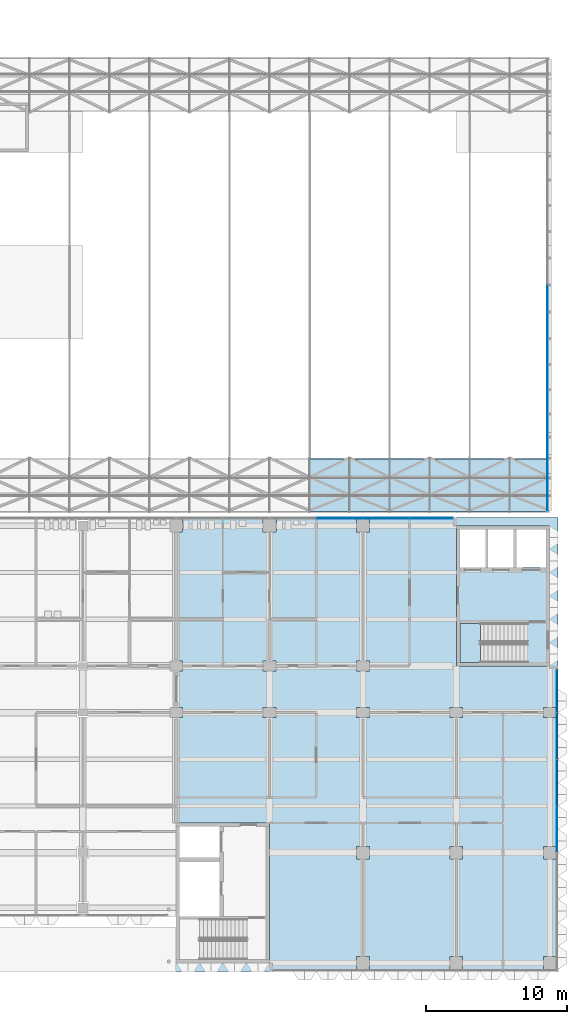
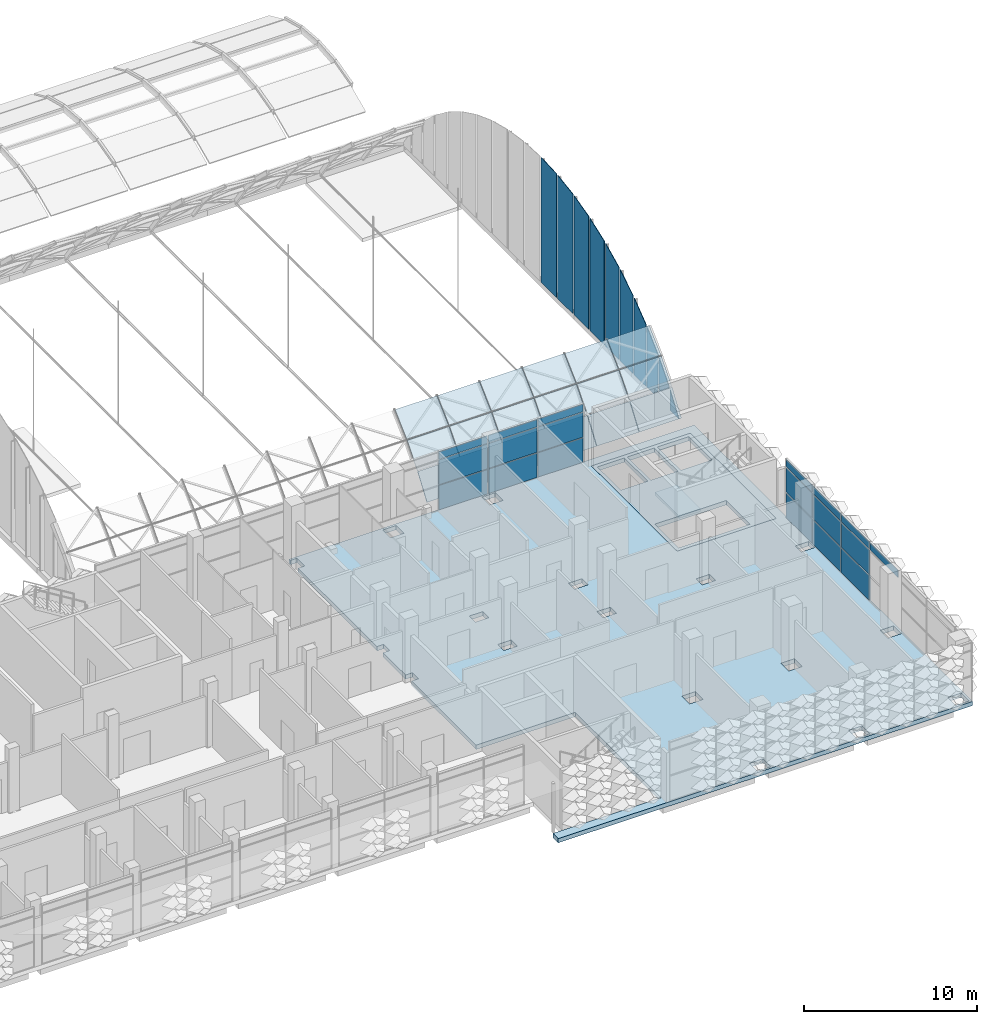
# One storey, part 45 of 109: 47 plates, 3 slabs, 3 elements without a shape of their own.
"""IFC4 building model written with IfcOpenShell, lengths in metres."""

from ifc_helpers import new_model, si_unit, direction, frame, origin, origin_2d, place, context, subcontext, project, spatial, polyline, rectangle, outline, extrude, material, layer, layer_set, type_object, element, aggregate, save


model = new_model("IFC4")

# Units and contexts
model_context = context("Model", 3, precision=1e-05, world=origin(), true_north=direction((0.0, 1.0)))
body_context = subcontext(model_context, "Body", "Model", "MODEL_VIEW")
ifc_project = project(units=[si_unit("LENGTHUNIT", "METRE"), si_unit("AREAUNIT", "SQUARE_METRE"), si_unit("VOLUMEUNIT", "CUBIC_METRE"), si_unit("PLANEANGLEUNIT", "RADIAN"), si_unit("MASSUNIT", "GRAM", prefix="KILO")], contexts=[model_context])

# Site, building, storey
site_placement = place(None, origin())
site = spatial("IfcSite", under=ifc_project, at=site_placement, CompositionType="ELEMENT")
building_placement = place(site_placement, origin())
building = spatial("IfcBuilding", under=site, at=building_placement, Name="Lantern Court Research Institute", CompositionType="ELEMENT")
storey_placement = place(building_placement, frame((0.0, 0.0, 14.39990234375)))
storey = spatial("IfcBuildingStorey", under=building, at=storey_placement, Name="L03", CompositionType="ELEMENT", Elevation=14.39990234375)

# Plates
ifc_material_1 = material(Name="Laminated low-emissivity glass", Category="glass")
ifc_layer_1 = layer(ifc_material_1, 0.035888671875)
ifc_layer_set_1 = layer_set([ifc_layer_1], Name="Laminated low-emissivity glass")
plate_type_1 = type_object("IfcPlateType", Name="Gable glazing panel 36", PredefinedType="SHEET", material=ifc_layer_set_1)
plate_1_placement = place(storey_placement, frame((79.056884765625, 24.169921875, 0.400146484375), z_axis=(0.0, 0.0, 1.0), x_axis=(0.0, 1.0, 0.0)))
element("IfcPlate", 1, at=plate_1_placement, inside=storey, type_object=plate_type_1, Name="Gable glazing panel", PredefinedType="SHEET", context=body_context, shape_type="SweptSolid", body=[
    extrude(outline(polyline([(0.0, 0.0), (1.016357421875, 0.0), (1.016357421875, 1.4697265625), (0.0, 0.0283203125), (0.0, 0.0)])), frame((0.0, 0.01806640625, 0.0), z_axis=(0.0, -1.0, 0.0), x_axis=(1.0, 0.0, 0.0)), (0.0, 0.0, 1.0), 0.035888671875),
])
plate_2_placement = place(storey_placement, frame((79.056884765625, 25.306396484375, 0.400146484375), z_axis=(0.0, 0.0, 1.0), x_axis=(0.0, 1.0, 0.0)))
element("IfcPlate", 2, at=plate_2_placement, inside=storey, type_object=plate_type_1, Name="Gable glazing panel", PredefinedType="SHEET", context=body_context, shape_type="SweptSolid", body=[
    extrude(outline(polyline([(0.0, 0.0), (1.126953125, 0.0), (1.126953125, 2.92236328125), (0.0, 1.623779296875), (0.0, 0.0)])), frame((0.0, 0.01806640625, 0.0), z_axis=(0.0, -1.0, 0.0), x_axis=(1.0, 0.0, 0.0)), (0.0, 0.0, 1.0), 0.035888671875),
])
plate_3_placement = place(storey_placement, frame((79.056884765625, 26.55322265625, 0.400146484375), z_axis=(0.0, 0.0, 1.0), x_axis=(0.0, 1.0, 0.0)))
element("IfcPlate", 3, at=plate_3_placement, inside=storey, type_object=plate_type_1, Name="Gable glazing panel", PredefinedType="SHEET", context=body_context, shape_type="SweptSolid", body=[
    extrude(outline(polyline([(0.0, 0.0), (1.265380859375, 0.0), (1.26513671875, 4.239013671875), (0.0, 3.0478515625), (0.0, 0.0)])), frame((0.0, 0.01806640625, 0.0), z_axis=(0.0, -1.0, 0.0), x_axis=(1.0, 0.0, 0.0)), (0.0, 0.0, 1.0), 0.035888671875),
])
plate_4_placement = place(storey_placement, frame((79.056884765625, 27.9384765625, 0.400146484375), z_axis=(0.0, 0.0, 1.0), x_axis=(0.0, 1.0, 0.0)))
element("IfcPlate", 4, at=plate_4_placement, inside=storey, type_object=plate_type_1, Name="Gable glazing panel", PredefinedType="SHEET", context=body_context, shape_type="SweptSolid", body=[
    extrude(outline(polyline([(0.0, 0.0), (1.38916015625, 0.0), (1.38916015625, 5.40771484375), (0.0, 4.341552734375), (0.0, 0.0)])), frame((0.0, 0.01806640625, 0.0), z_axis=(0.0, -1.0, 0.0), x_axis=(1.0, 0.0, 0.0)), (0.0, 0.0, 1.0), 0.035888671875),
])
plate_5_placement = place(storey_placement, frame((79.056884765625, 29.44775390625, 0.400146484375), z_axis=(0.0, 0.0, 1.0), x_axis=(0.0, 1.0, 0.0)))
element("IfcPlate", 5, at=plate_5_placement, inside=storey, type_object=plate_type_1, Name="Gable glazing panel", PredefinedType="SHEET", context=body_context, shape_type="SweptSolid", body=[
    extrude(outline(polyline([(0.0, 0.0), (1.498046875, 0.0), (1.498046875, 6.417236328125), (0.0, 5.490966796875), (0.0, 0.0)])), frame((0.0, 0.01806640625, 0.0), z_axis=(0.0, -1.0, 0.0), x_axis=(1.0, 0.0, 0.0)), (0.0, 0.0, 1.0), 0.035888671875),
])
plate_6_placement = place(storey_placement, frame((79.056884765625, 31.065673828125, 0.400146484375), z_axis=(0.0, 0.0, 1.0), x_axis=(0.0, 1.0, 0.0)))
element("IfcPlate", 6, at=plate_6_placement, inside=storey, type_object=plate_type_1, Name="Gable glazing panel", PredefinedType="SHEET", context=body_context, shape_type="SweptSolid", body=[
    extrude(outline(polyline([(0.0, 0.0), (1.590576171875, 0.0), (1.59033203125, 7.258056640625), (0.0, 6.483642578125), (0.0, 0.0)])), frame((0.0, 0.01806640625, 0.0), z_axis=(0.0, -1.0, 0.0), x_axis=(1.0, 0.0, 0.0)), (0.0, 0.0, 1.0), 0.035888671875),
])
plate_7_placement = place(storey_placement, frame((79.056884765625, 32.776123046875, 0.400146484375), z_axis=(0.0, 0.0, 1.0), x_axis=(0.0, 1.0, 0.0)))
element("IfcPlate", 7, at=plate_7_placement, inside=storey, type_object=plate_type_1, Name="Gable glazing panel", PredefinedType="SHEET", context=body_context, shape_type="SweptSolid", body=[
    extrude(outline(polyline([(0.0, 0.0), (1.66552734375, 0.0), (1.66552734375, 7.921875), (0.0, 7.309326171875), (0.0, 0.0)])), frame((0.0, 0.01806640625, 0.0), z_axis=(0.0, -1.0, 0.0), x_axis=(1.0, 0.0, 0.0)), (0.0, 0.0, 1.0), 0.035888671875),
])
plate_8_placement = place(storey_placement, frame((79.056884765625, 34.561767578125, 0.400146484375), z_axis=(0.0, 0.0, 1.0), x_axis=(0.0, 1.0, 0.0)))
element("IfcPlate", 8, at=plate_8_placement, inside=storey, type_object=plate_type_1, Name="Gable glazing panel", PredefinedType="SHEET", context=body_context, shape_type="SweptSolid", body=[
    extrude(outline(polyline([(0.0, 0.0), (1.722412109375, 0.0), (1.722412109375, 8.402587890625), (0.0, 7.95947265625), (0.0, 0.0)])), frame((0.0, 0.01806640625, 0.0), z_axis=(0.0, -1.0, 0.0), x_axis=(1.0, 0.0, 0.0)), (0.0, 0.0, 1.0), 0.035888671875),
])
plate_9_placement = place(storey_placement, frame((79.056884765625, 36.404296875, 0.400146484375), z_axis=(0.0, 0.0, 1.0), x_axis=(0.0, 1.0, 0.0)))
element("IfcPlate", 9, at=plate_9_placement, inside=storey, type_object=plate_type_1, Name="Gable glazing panel", PredefinedType="SHEET", context=body_context, shape_type="SweptSolid", body=[
    extrude(outline(polyline([(0.0, 0.0), (1.7607421875, 0.0), (1.7607421875, 8.695068359375), (0.0, 8.427001953125), (0.0, 0.0)])), frame((0.0, 0.01806640625, 0.0), z_axis=(0.0, -1.0, 0.0), x_axis=(1.0, 0.0, 0.0)), (0.0, 0.0, 1.0), 0.035888671875),
])
plate_10_placement = place(storey_placement, frame((79.056884765625, 38.284912109375, 0.400146484375), z_axis=(0.0, 0.0, 1.0), x_axis=(0.0, 1.0, 0.0)))
element("IfcPlate", 10, at=plate_10_placement, inside=storey, type_object=plate_type_1, Name="Gable glazing panel", PredefinedType="SHEET", context=body_context, shape_type="SweptSolid", body=[
    extrude(outline(polyline([(0.0, 0.0), (1.780029296875, 0.0), (1.780029296875, 8.796875), (0.0, 8.707275390625), (0.0, 0.0)])), frame((0.0, 0.01806640625, 0.0), z_axis=(0.0, -1.0, 0.0), x_axis=(1.0, 0.0, 0.0)), (0.0, 0.0, 1.0), 0.035888671875),
])
ifc_material_2 = material(Name="Laminated low-emissivity glass", Category="glass")
ifc_layer_2 = layer(ifc_material_2, 0.052001953125)
ifc_layer_set_2 = layer_set([ifc_layer_2], Name="Laminated low-emissivity glass")
plate_type_2 = type_object("IfcPlateType", Name="Gridshell roof glazing panel 52", PredefinedType="SHEET", material=ifc_layer_set_2)
plate_11_placement = place(storey_placement, frame((65.047119140625, 24.117431640625, 0.4443359375), z_axis=(0.0, -0.817224984024, 0.576318770723), x_axis=(-1.0, 0.0, 0.0)))
element("IfcPlate", 11, at=plate_11_placement, inside=storey, type_object=plate_type_2, Name="Roof glazing panel", PredefinedType="SHEET", context=body_context, shape_type="SweptSolid", body=[
    extrude(outline(polyline([(0.0, 0.0), (2.80859375, 0.0), (2.80859375, -1.867744155330344), (0.0, -1.867744155330344), (0.0, 0.0)])), origin(), (0.0, 0.0, -1.0), 0.052001953125),
])
plate_12_placement = place(storey_placement, frame((65.047119140625, 25.217041015625, 2.00048828125), z_axis=(0.0, -0.755228474441, 0.655461632281), x_axis=(-1.0, 0.0, 0.0)))
element("IfcPlate", 12, at=plate_12_placement, inside=storey, type_object=plate_type_2, Name="Roof glazing panel", PredefinedType="SHEET", context=body_context, shape_type="SweptSolid", body=[
    extrude(outline(polyline([(0.0, 0.0), (2.80859375, 0.0), (2.80859375, -1.8720405906582398), (0.0, -1.8720405906582398), (0.0, 0.0)])), origin(), (0.0, 0.0, -1.0), 0.052001953125),
])
plate_13_placement = place(storey_placement, frame((65.047119140625, 26.4677734375, 3.43896484375), z_axis=(0.0, -0.685494672297, 0.728077643011), x_axis=(-1.0, 0.0, 0.0)))
element("IfcPlate", 13, at=plate_13_placement, inside=storey, type_object=plate_type_2, Name="Roof glazing panel", PredefinedType="SHEET", context=body_context, shape_type="SweptSolid", body=[
    extrude(outline(polyline([(0.0, 0.0), (2.80859375, 0.0), (2.80859375, -1.874786635020951), (0.0, -1.874786635020951), (0.0, 0.0)])), origin(), (0.0, 0.0, -1.0), 0.052001953125),
])
plate_14_placement = place(storey_placement, frame((67.875732421875, 24.117431640625, 0.4443359375), z_axis=(0.0, -0.817224984024, 0.576318770723), x_axis=(-1.0, 0.0, 0.0)))
element("IfcPlate", 14, at=plate_14_placement, inside=storey, type_object=plate_type_2, Name="Roof glazing panel", PredefinedType="SHEET", context=body_context, shape_type="SweptSolid", body=[
    extrude(outline(polyline([(0.0, 0.0), (2.80859375, 0.0), (2.80859375, -1.867744155330344), (0.0, -1.867744155330344), (0.0, 0.0)])), origin(), (0.0, 0.0, -1.0), 0.052001953125),
])
plate_15_placement = place(storey_placement, frame((67.875732421875, 25.217041015625, 2.00048828125), z_axis=(0.0, -0.755228474441, 0.655461632281), x_axis=(-1.0, 0.0, 0.0)))
element("IfcPlate", 15, at=plate_15_placement, inside=storey, type_object=plate_type_2, Name="Roof glazing panel", PredefinedType="SHEET", context=body_context, shape_type="SweptSolid", body=[
    extrude(outline(polyline([(0.0, 0.0), (2.80859375, 0.0), (2.80859375, -1.8720405906582398), (0.0, -1.8720405906582398), (0.0, 0.0)])), origin(), (0.0, 0.0, -1.0), 0.052001953125),
])
plate_16_placement = place(storey_placement, frame((67.875732421875, 26.4677734375, 3.43896484375), z_axis=(0.0, -0.685494672297, 0.728077643011), x_axis=(-1.0, 0.0, 0.0)))
element("IfcPlate", 16, at=plate_16_placement, inside=storey, type_object=plate_type_2, Name="Roof glazing panel", PredefinedType="SHEET", context=body_context, shape_type="SweptSolid", body=[
    extrude(outline(polyline([(0.0, 0.0), (2.80859375, 0.0), (2.80859375, -1.874786635020951), (0.0, -1.874786635020951), (0.0, 0.0)])), origin(), (0.0, 0.0, -1.0), 0.052001953125),
])
plate_17_placement = place(storey_placement, frame((70.704345703125, 24.117431640625, 0.4443359375), z_axis=(0.0, -0.817224984024, 0.576318770723), x_axis=(-1.0, 0.0, 0.0)))
element("IfcPlate", 17, at=plate_17_placement, inside=storey, type_object=plate_type_2, Name="Roof glazing panel", PredefinedType="SHEET", context=body_context, shape_type="SweptSolid", body=[
    extrude(outline(polyline([(0.0, 0.0), (2.80859375, 0.0), (2.80859375, -1.867744155330344), (0.0, -1.867744155330344), (0.0, 0.0)])), origin(), (0.0, 0.0, -1.0), 0.052001953125),
])
plate_18_placement = place(storey_placement, frame((70.704345703125, 25.217041015625, 2.00048828125), z_axis=(0.0, -0.755228474441, 0.655461632281), x_axis=(-1.0, 0.0, 0.0)))
element("IfcPlate", 18, at=plate_18_placement, inside=storey, type_object=plate_type_2, Name="Roof glazing panel", PredefinedType="SHEET", context=body_context, shape_type="SweptSolid", body=[
    extrude(outline(polyline([(0.0, 0.0), (2.80859375, 0.0), (2.80859375, -1.8720405906582398), (0.0, -1.8720405906582398), (0.0, 0.0)])), origin(), (0.0, 0.0, -1.0), 0.052001953125),
])
plate_19_placement = place(storey_placement, frame((70.704345703125, 26.4677734375, 3.43896484375), z_axis=(0.0, -0.685494672297, 0.728077643011), x_axis=(-1.0, 0.0, 0.0)))
element("IfcPlate", 19, at=plate_19_placement, inside=storey, type_object=plate_type_2, Name="Roof glazing panel", PredefinedType="SHEET", context=body_context, shape_type="SweptSolid", body=[
    extrude(outline(polyline([(0.0, 0.0), (2.80859375, 0.0), (2.80859375, -1.874786635020951), (0.0, -1.874786635020951), (0.0, 0.0)])), origin(), (0.0, 0.0, -1.0), 0.052001953125),
])
plate_20_placement = place(storey_placement, frame((73.532958984375, 24.117431640625, 0.4443359375), z_axis=(0.0, -0.817224984024, 0.576318770723), x_axis=(-1.0, 0.0, 0.0)))
element("IfcPlate", 20, at=plate_20_placement, inside=storey, type_object=plate_type_2, Name="Roof glazing panel", PredefinedType="SHEET", context=body_context, shape_type="SweptSolid", body=[
    extrude(outline(polyline([(0.0, 0.0), (2.80859375, 0.0), (2.80859375, -1.867744155330344), (0.0, -1.867744155330344), (0.0, 0.0)])), origin(), (0.0, 0.0, -1.0), 0.052001953125),
])
plate_21_placement = place(storey_placement, frame((73.532958984375, 25.217041015625, 2.00048828125), z_axis=(0.0, -0.755228474441, 0.655461632281), x_axis=(-1.0, 0.0, 0.0)))
element("IfcPlate", 21, at=plate_21_placement, inside=storey, type_object=plate_type_2, Name="Roof glazing panel", PredefinedType="SHEET", context=body_context, shape_type="SweptSolid", body=[
    extrude(outline(polyline([(0.0, 0.0), (2.80859375, 0.0), (2.80859375, -1.8720405906582398), (0.0, -1.8720405906582398), (0.0, 0.0)])), origin(), (0.0, 0.0, -1.0), 0.052001953125),
])
plate_22_placement = place(storey_placement, frame((73.532958984375, 26.4677734375, 3.43896484375), z_axis=(0.0, -0.685494672297, 0.728077643011), x_axis=(-1.0, 0.0, 0.0)))
element("IfcPlate", 22, at=plate_22_placement, inside=storey, type_object=plate_type_2, Name="Roof glazing panel", PredefinedType="SHEET", context=body_context, shape_type="SweptSolid", body=[
    extrude(outline(polyline([(0.0, 0.0), (2.80859375, 0.0), (2.80859375, -1.874786635020951), (0.0, -1.874786635020951), (0.0, 0.0)])), origin(), (0.0, 0.0, -1.0), 0.052001953125),
])
plate_23_placement = place(storey_placement, frame((76.361328125, 24.117431640625, 0.4443359375), z_axis=(0.0, -0.817224984024, 0.576318770723), x_axis=(-1.0, 0.0, 0.0)))
element("IfcPlate", 23, at=plate_23_placement, inside=storey, type_object=plate_type_2, Name="Roof glazing panel", PredefinedType="SHEET", context=body_context, shape_type="SweptSolid", body=[
    extrude(outline(polyline([(0.0, 0.0), (2.808349609375, 0.0), (2.808349609375, -1.867744155330344), (0.0, -1.867744155330344), (0.0, 0.0)])), origin(), (0.0, 0.0, -1.0), 0.052001953125),
])
plate_24_placement = place(storey_placement, frame((76.361328125, 25.217041015625, 2.00048828125), z_axis=(0.0, -0.755228474441, 0.655461632281), x_axis=(-1.0, 0.0, 0.0)))
element("IfcPlate", 24, at=plate_24_placement, inside=storey, type_object=plate_type_2, Name="Roof glazing panel", PredefinedType="SHEET", context=body_context, shape_type="SweptSolid", body=[
    extrude(outline(polyline([(0.0, 0.0), (2.808349609375, 0.0), (2.808349609375, -1.8720405906582398), (0.0, -1.8720405906582398), (0.0, 0.0)])), origin(), (0.0, 0.0, -1.0), 0.052001953125),
])
plate_25_placement = place(storey_placement, frame((76.361328125, 26.4677734375, 3.43896484375), z_axis=(0.0, -0.685494672297, 0.728077643011), x_axis=(-1.0, 0.0, 0.0)))
element("IfcPlate", 25, at=plate_25_placement, inside=storey, type_object=plate_type_2, Name="Roof glazing panel", PredefinedType="SHEET", context=body_context, shape_type="SweptSolid", body=[
    extrude(outline(polyline([(0.0, 0.0), (2.808349609375, 0.0), (2.808349609375, -1.8747866350209508), (0.0, -1.8747866350209508), (0.0, 0.0)])), origin(), (0.0, 0.0, -1.0), 0.052001953125),
])
plate_26_placement = place(storey_placement, frame((79.18994140625, 24.117431640625, 0.4443359375), z_axis=(0.0, -0.817224984024, 0.576318770723), x_axis=(-1.0, 0.0, 0.0)))
element("IfcPlate", 26, at=plate_26_placement, inside=storey, type_object=plate_type_2, Name="Roof glazing panel", PredefinedType="SHEET", context=body_context, shape_type="SweptSolid", body=[
    extrude(outline(polyline([(0.0, 0.0), (2.80859375, 0.0), (2.80859375, -1.867744155330344), (0.0, -1.867744155330344), (0.0, 0.0)])), origin(), (0.0, 0.0, -1.0), 0.052001953125),
])
plate_27_placement = place(storey_placement, frame((79.18994140625, 25.217041015625, 2.00048828125), z_axis=(0.0, -0.755228474441, 0.655461632281), x_axis=(-1.0, 0.0, 0.0)))
element("IfcPlate", 27, at=plate_27_placement, inside=storey, type_object=plate_type_2, Name="Roof glazing panel", PredefinedType="SHEET", context=body_context, shape_type="SweptSolid", body=[
    extrude(outline(polyline([(0.0, 0.0), (2.80859375, 0.0), (2.80859375, -1.8720405906582398), (0.0, -1.8720405906582398), (0.0, 0.0)])), origin(), (0.0, 0.0, -1.0), 0.052001953125),
])
plate_28_placement = place(storey_placement, frame((79.18994140625, 26.4677734375, 3.43896484375), z_axis=(0.0, -0.685494672297, 0.728077643011), x_axis=(-1.0, 0.0, 0.0)))
element("IfcPlate", 28, at=plate_28_placement, inside=storey, type_object=plate_type_2, Name="Roof glazing panel", PredefinedType="SHEET", context=body_context, shape_type="SweptSolid", body=[
    extrude(outline(polyline([(0.0, 0.0), (2.80859375, 0.0), (2.80859375, -1.874786635020951), (0.0, -1.874786635020951), (0.0, 0.0)])), origin(), (0.0, 0.0, -1.0), 0.052001953125),
])

# Curtain wall, plates
ifc_material_3 = material(Name="Aluminium alloy 6063-T6", Category="aluminium")
curtain_wall_type_1 = type_object("IfcCurtainWallType", Name="Curtain wall 19600 x 4200 x 150 aluminium frame", PredefinedType="NOTDEFINED", material=ifc_material_3)
curtain_wall_1_placement = place(storey_placement, origin())
curtain_wall_1 = element("IfcCurtainWall", 29, at=curtain_wall_1_placement, inside=storey, type_object=curtain_wall_type_1, Name="Curtain wall CW058", PredefinedType="NOTDEFINED")
ifc_material_4 = material(Name="Insulated aluminium spandrel panel", Category="aluminium")
ifc_layer_3 = layer(ifc_material_4, 0.06005859375)
ifc_layer_set_3 = layer_set([ifc_layer_3], Name="Insulated aluminium spandrel panel")
plate_type_3 = type_object("IfcPlateType", Name="Insulated spandrel panel 60 mm", PredefinedType="CURTAIN_PANEL", material=ifc_layer_set_3)
plate_29_placement = place(storey_placement, frame((64.35009765625, 23.625, 0.06005859375), z_axis=(0.0, 0.0, 1.0), x_axis=(1.0, 0.0, 0.0)))
plate_29 = element("IfcPlate", 30, at=plate_29_placement, type_object=plate_type_3, Name="CW058 spandrel panel 4.1", PredefinedType="CURTAIN_PANEL", context=body_context, shape_type="SweptSolid", body=[
    extrude(rectangle(XDim=3.239990234375, YDim=0.06005859375, at=origin_2d()), origin(), (0.0, 0.0, 1.0), 1.7099609375),
])
plate_30_placement = place(storey_placement, frame((64.35009765625, 23.625, 1.830078125), z_axis=(0.0, 0.0, 1.0), x_axis=(1.0, 0.0, 0.0)))
plate_30 = element("IfcPlate", 31, at=plate_30_placement, type_object=plate_type_3, Name="CW058 spandrel panel 4.2", PredefinedType="CURTAIN_PANEL", context=body_context, shape_type="SweptSolid", body=[
    extrude(rectangle(XDim=3.239990234375, YDim=0.06005859375, at=origin_2d()), origin(), (0.0, 0.0, 1.0), 1.739990234375),
])
plate_31_placement = place(storey_placement, frame((64.35009765625, 23.625, 3.6298828125), z_axis=(0.0, 0.0, 1.0), x_axis=(1.0, 0.0, 0.0)))
plate_31 = element("IfcPlate", 32, at=plate_31_placement, type_object=plate_type_3, Name="CW058 spandrel panel 4.3", PredefinedType="CURTAIN_PANEL", context=body_context, shape_type="SweptSolid", body=[
    extrude(rectangle(XDim=3.239990234375, YDim=0.06005859375, at=origin_2d()), origin(), (0.0, 0.0, 1.0), 0.510009765625),
])
plate_32_placement = place(storey_placement, frame((67.64990234375, 23.625, 0.06005859375), z_axis=(0.0, 0.0, 1.0), x_axis=(1.0, 0.0, 0.0)))
plate_32 = element("IfcPlate", 33, at=plate_32_placement, type_object=plate_type_3, Name="CW058 spandrel panel 5.1", PredefinedType="CURTAIN_PANEL", context=body_context, shape_type="SweptSolid", body=[
    extrude(rectangle(XDim=3.239990234375, YDim=0.06005859375, at=origin_2d()), origin(), (0.0, 0.0, 1.0), 1.7099609375),
])
plate_33_placement = place(storey_placement, frame((67.64990234375, 23.625, 1.830078125), z_axis=(0.0, 0.0, 1.0), x_axis=(1.0, 0.0, 0.0)))
plate_33 = element("IfcPlate", 34, at=plate_33_placement, type_object=plate_type_3, Name="CW058 spandrel panel 5.2", PredefinedType="CURTAIN_PANEL", context=body_context, shape_type="SweptSolid", body=[
    extrude(rectangle(XDim=3.239990234375, YDim=0.06005859375, at=origin_2d()), origin(), (0.0, 0.0, 1.0), 1.739990234375),
])
plate_34_placement = place(storey_placement, frame((67.64990234375, 23.625, 3.6298828125), z_axis=(0.0, 0.0, 1.0), x_axis=(1.0, 0.0, 0.0)))
plate_34 = element("IfcPlate", 35, at=plate_34_placement, type_object=plate_type_3, Name="CW058 spandrel panel 5.3", PredefinedType="CURTAIN_PANEL", context=body_context, shape_type="SweptSolid", body=[
    extrude(rectangle(XDim=3.239990234375, YDim=0.06005859375, at=origin_2d()), origin(), (0.0, 0.0, 1.0), 0.510009765625),
])
plate_35_placement = place(storey_placement, frame((70.8349609375, 23.625, 0.06005859375), z_axis=(0.0, 0.0, 1.0), x_axis=(1.0, 0.0, 0.0)))
plate_35 = element("IfcPlate", 36, at=plate_35_placement, type_object=plate_type_3, Name="CW058 spandrel panel 6.1", PredefinedType="CURTAIN_PANEL", context=body_context, shape_type="SweptSolid", body=[
    extrude(rectangle(XDim=3.010009765625, YDim=0.06005859375, at=origin_2d()), origin(), (0.0, 0.0, 1.0), 1.7099609375),
])
plate_36_placement = place(storey_placement, frame((70.8349609375, 23.625, 1.830078125), z_axis=(0.0, 0.0, 1.0), x_axis=(1.0, 0.0, 0.0)))
plate_36 = element("IfcPlate", 37, at=plate_36_placement, type_object=plate_type_3, Name="CW058 spandrel panel 6.2", PredefinedType="CURTAIN_PANEL", context=body_context, shape_type="SweptSolid", body=[
    extrude(rectangle(XDim=3.010009765625, YDim=0.06005859375, at=origin_2d()), origin(), (0.0, 0.0, 1.0), 1.739990234375),
])
plate_37_placement = place(storey_placement, frame((70.8349609375, 23.625, 3.6298828125), z_axis=(0.0, 0.0, 1.0), x_axis=(1.0, 0.0, 0.0)))
plate_37 = element("IfcPlate", 38, at=plate_37_placement, type_object=plate_type_3, Name="CW058 spandrel panel 6.3", PredefinedType="CURTAIN_PANEL", context=body_context, shape_type="SweptSolid", body=[
    extrude(rectangle(XDim=3.010009765625, YDim=0.06005859375, at=origin_2d()), origin(), (0.0, 0.0, 1.0), 0.510009765625),
])
aggregate(curtain_wall_1, [plate_29, plate_30, plate_31, plate_32, plate_33, plate_34, plate_35, plate_36, plate_37])

ifc_material_5 = material(Name="Aluminium alloy 6063-T6", Category="aluminium")
curtain_wall_type_2 = type_object("IfcCurtainWallType", Name="Curtain wall 21250 x 4200 x 150 aluminium frame", PredefinedType="NOTDEFINED", material=ifc_material_5)
curtain_wall_2_placement = place(storey_placement, origin())
curtain_wall_2 = element("IfcCurtainWall", 39, at=curtain_wall_2_placement, inside=storey, type_object=curtain_wall_type_2, Name="Curtain wall CW057", PredefinedType="NOTDEFINED")
ifc_material_6 = material(Name="Insulated aluminium spandrel panel", Category="aluminium")
ifc_layer_4 = layer(ifc_material_6, 0.080078125)
ifc_layer_set_4 = layer_set([ifc_layer_4], Name="Insulated aluminium spandrel panel")
plate_type_4 = type_object("IfcPlateType", Name="Insulated spandrel panel 80 mm", PredefinedType="CURTAIN_PANEL", material=ifc_layer_set_4)
plate_38_placement = place(storey_placement, frame((79.72509765625, 4.949951171875, 0.06005859375), z_axis=(0.0, 0.0, 1.0), x_axis=(0.0, -1.0, 0.0)))
plate_38 = element("IfcPlate", 40, at=plate_38_placement, type_object=plate_type_4, Name="CW057 spandrel panel 5.1", PredefinedType="CURTAIN_PANEL", context=body_context, shape_type="SweptSolid", body=[
    extrude(rectangle(XDim=3.239990234375, YDim=0.080078125, at=origin_2d()), origin(), (0.0, 0.0, 1.0), 1.7099609375),
])
plate_39_placement = place(storey_placement, frame((79.72509765625, 8.25, 0.06005859375), z_axis=(0.0, 0.0, 1.0), x_axis=(0.0, -1.0, 0.0)))
plate_39 = element("IfcPlate", 41, at=plate_39_placement, type_object=plate_type_4, Name="CW057 spandrel panel 6.1", PredefinedType="CURTAIN_PANEL", context=body_context, shape_type="SweptSolid", body=[
    extrude(rectangle(XDim=3.239990234375, YDim=0.080078125, at=origin_2d()), origin(), (0.0, 0.0, 1.0), 1.7099609375),
])
plate_40_placement = place(storey_placement, frame((79.72509765625, 11.43505859375, 0.06005859375), z_axis=(0.0, 0.0, 1.0), x_axis=(0.0, -1.0, 0.0)))
plate_40 = element("IfcPlate", 42, at=plate_40_placement, type_object=plate_type_4, Name="CW057 spandrel panel 7.1", PredefinedType="CURTAIN_PANEL", context=body_context, shape_type="SweptSolid", body=[
    extrude(rectangle(XDim=3.010009765625, YDim=0.080078125, at=origin_2d()), origin(), (0.0, 0.0, 1.0), 1.7099609375),
])

# Slabs
ifc_material_7 = material(Name="Concrete C35/45", Category="concrete")
ifc_layer_5 = layer(ifc_material_7, 0.300048828125)
ifc_layer_set_5 = layer_set([ifc_layer_5], Name="Concrete C35/45")
slab_type_1 = type_object("IfcSlabType", Name="RC core floor slab 300", PredefinedType="FLOOR", material=ifc_layer_set_5)
slab_1_placement = place(storey_placement, frame((0.0, 0.0, -0.2998046875)))
element("IfcSlab", 43, at=slab_1_placement, inside=storey, type_object=slab_type_1, Name="Floor of core TC-E", PredefinedType="FLOOR", context=body_context, shape_type="SweptSolid", body=[
    extrude(outline(polyline([(72.60009765625, 13.199951171875), (79.199951171875, 13.199951171875), (79.199951171875, 23.10009765625), (72.60009765625, 23.10009765625), (72.60009765625, 13.199951171875)]), holes=[polyline([(77.60009765625, 16.199951171875), (72.85009765625, 16.199951171875), (72.85009765625, 13.449951171875), (77.60009765625, 13.449951171875), (77.60009765625, 16.199951171875)]), polyline([(72.85009765625, 20.14990234375), (74.64990234375, 20.14990234375), (74.64990234375, 22.85009765625), (72.85009765625, 22.85009765625), (72.85009765625, 20.14990234375)]), polyline([(74.85009765625, 20.14990234375), (76.64990234375, 20.14990234375), (76.64990234375, 22.85009765625), (74.85009765625, 22.85009765625), (74.85009765625, 20.14990234375)]), polyline([(76.85009765625, 20.14990234375), (78.949951171875, 20.14990234375), (78.949951171875, 22.85009765625), (76.85009765625, 22.85009765625), (76.85009765625, 20.14990234375)])]), origin(), (0.0, 0.0, 1.0), 0.2998046875),
])
ifc_material_8 = material(Name="Concrete C35/45", Category="concrete")
ifc_layer_6 = layer(ifc_material_8, 0.300048828125)
ifc_layer_set_6 = layer_set([ifc_layer_6], Name="Concrete C35/45")
slab_type_2 = type_object("IfcSlabType", Name="RC floor slab 300", PredefinedType="FLOOR", material=ifc_layer_set_6)
slab_2_placement = place(storey_placement, frame((0.0, 0.0, -0.2998046875)))
element("IfcSlab", 44, at=slab_2_placement, inside=storey, type_object=slab_type_2, Name="Floor slab L03 Dry Laboratory and Clean Room Tower", PredefinedType="FLOOR", context=body_context, shape_type="SweptSolid", body=[
    extrude(outline(polyline([(52.800048828125, -7.800048828125), (52.199951171875, -7.800048828125), (52.199951171875, -8.39990234375), (79.800048828125, -8.39990234375), (79.800048828125, -7.800048828125), (79.800048828125, 23.10009765625), (79.800048828125, 23.699951171875), (52.800048828125, 23.699951171875), (52.800048828125, 23.550048828125), (53.25, 23.550048828125), (53.25, 22.64990234375), (52.800048828125, 22.64990234375), (52.800048828125, 13.550048828125), (53.25, 13.550048828125), (53.25, 12.85009765625), (52.800048828125, 12.85009765625), (52.800048828125, 10.25), (53.25, 10.25), (53.25, 9.550048828125), (52.800048828125, 9.550048828125), (52.800048828125, 2.10009765625), (59.39990234375, 2.10009765625), (59.39990234375, -7.800048828125), (52.800048828125, -7.800048828125)]), holes=[polyline([(65.550048828125, -7.35009765625), (66.449951171875, -7.35009765625), (66.449951171875, -8.25), (65.550048828125, -8.25), (65.550048828125, -7.35009765625)]), polyline([(58.949951171875, 10.25), (59.85009765625, 10.25), (59.85009765625, 9.550048828125), (58.949951171875, 9.550048828125), (58.949951171875, 10.25)]), polyline([(59.85009765625, 13.550048828125), (59.85009765625, 12.85009765625), (58.949951171875, 12.85009765625), (58.949951171875, 13.550048828125), (59.85009765625, 13.550048828125)]), polyline([(59.85009765625, 23.550048828125), (59.85009765625, 22.64990234375), (58.949951171875, 22.64990234375), (58.949951171875, 23.550048828125), (59.85009765625, 23.550048828125)]), polyline([(73.050048828125, -7.35009765625), (73.050048828125, -8.25), (72.14990234375, -8.25), (72.14990234375, -7.35009765625), (73.050048828125, -7.35009765625)]), polyline([(79.64990234375, -7.35009765625), (79.64990234375, -8.25), (78.75, -8.25), (78.75, -7.35009765625), (79.64990234375, -7.35009765625)]), polyline([(65.550048828125, 0.449951171875), (66.449951171875, 0.449951171875), (66.449951171875, -0.449951171875), (65.550048828125, -0.449951171875), (65.550048828125, 0.449951171875)]), polyline([(73.050048828125, 0.449951171875), (73.050048828125, -0.449951171875), (72.14990234375, -0.449951171875), (72.14990234375, 0.449951171875), (73.050048828125, 0.449951171875)]), polyline([(79.64990234375, 0.449951171875), (79.64990234375, -0.449951171875), (78.75, -0.449951171875), (78.75, 0.449951171875), (79.64990234375, 0.449951171875)]), polyline([(65.550048828125, 10.25), (66.449951171875, 10.25), (66.449951171875, 9.550048828125), (65.550048828125, 9.550048828125), (65.550048828125, 10.25)]), polyline([(73.050048828125, 10.25), (73.050048828125, 9.550048828125), (72.14990234375, 9.550048828125), (72.14990234375, 10.25), (73.050048828125, 10.25)]), polyline([(79.64990234375, 10.25), (79.64990234375, 9.550048828125), (78.75, 9.550048828125), (78.75, 10.25), (79.64990234375, 10.25)]), polyline([(66.449951171875, 13.550048828125), (66.449951171875, 12.85009765625), (65.550048828125, 12.85009765625), (65.550048828125, 13.550048828125), (66.449951171875, 13.550048828125)]), polyline([(79.199951171875, 23.10009765625), (79.199951171875, 13.199951171875), (72.60009765625, 13.199951171875), (72.60009765625, 23.10009765625), (79.199951171875, 23.10009765625)]), polyline([(66.449951171875, 23.550048828125), (66.449951171875, 22.64990234375), (65.550048828125, 22.64990234375), (65.550048828125, 23.550048828125), (66.449951171875, 23.550048828125)])]), origin(), (0.0, 0.0, 1.0), 0.2998046875),
])

# Stair, slab
ifc_material_9 = material(Name="Concrete C40/50", Category="concrete")
stair_type = type_object("IfcStairType", Name="RC half-turn stair 1300 wide, 4500 rise, 6100 shaft", PredefinedType="HALF_TURN_STAIR", material=ifc_material_9)
stair_placement = place(storey_placement, origin())
stair = element("IfcStair", 45, at=stair_placement, inside=storey, type_object=stair_type, Name="L03 stair ST-T2", PredefinedType="HALF_TURN_STAIR")
ifc_material_10 = material(Name="Concrete C40/50", Category="concrete")
ifc_layer_7 = layer(ifc_material_10, 0.199951171875)
ifc_layer_set_7 = layer_set([ifc_layer_7], Name="Concrete C40/50")
slab_type_3 = type_object("IfcSlabType", Name="RC stair landing 200", PredefinedType="LANDING", material=ifc_layer_set_7)
slab_3_placement = place(storey_placement, frame((0.0, 0.0, 2.050048828125)))
slab_3 = element("IfcSlab", 46, at=slab_3_placement, type_object=slab_type_3, Name="ST-T2 landing 1", PredefinedType="LANDING", context=body_context, shape_type="SweptSolid", body=[
    extrude(outline(polyline([(74.2900390625, 16.199951171875), (72.85009765625, 16.199951171875), (72.85009765625, 13.449951171875), (74.2900390625, 13.449951171875), (74.2900390625, 16.199951171875)])), origin(), (0.0, 0.0, 1.0), 0.199951171875),
])
aggregate(stair, [slab_3])

# Plate
ifc_material_11 = material(Name="Laminated low-emissivity glass", Category="glass")
ifc_layer_8 = layer(ifc_material_11, 0.035888671875)
ifc_layer_set_8 = layer_set([ifc_layer_8], Name="Laminated low-emissivity glass")
plate_type_5 = type_object("IfcPlateType", Name="Solar control laminated unit 36 mm", PredefinedType="CURTAIN_PANEL", material=ifc_layer_set_8)
plate_41_placement = place(storey_placement, frame((79.72509765625, 1.64990234375, 3.6298828125), z_axis=(0.0, 0.0, 1.0), x_axis=(0.0, -1.0, 0.0)))
plate_41 = element("IfcPlate", 47, at=plate_41_placement, type_object=plate_type_5, Name="CW057 glazed panel 4.3", PredefinedType="CURTAIN_PANEL", context=body_context, shape_type="SweptSolid", body=[
    extrude(rectangle(XDim=3.239990234375, YDim=0.035888671875, at=origin_2d()), origin(), (0.0, 0.0, 1.0), 0.510009765625),
])

plate_42_placement = place(storey_placement, frame((79.72509765625, 4.949951171875, 1.830078125), z_axis=(0.0, 0.0, 1.0), x_axis=(0.0, -1.0, 0.0)))
plate_42 = element("IfcPlate", 48, at=plate_42_placement, type_object=plate_type_5, Name="CW057 glazed panel 5.2", PredefinedType="CURTAIN_PANEL", context=body_context, shape_type="SweptSolid", body=[
    extrude(rectangle(XDim=3.239990234375, YDim=0.035888671875, at=origin_2d()), origin(), (0.0, 0.0, 1.0), 1.739990234375),
])

plate_43_placement = place(storey_placement, frame((79.72509765625, 4.949951171875, 3.6298828125), z_axis=(0.0, 0.0, 1.0), x_axis=(0.0, -1.0, 0.0)))
plate_43 = element("IfcPlate", 49, at=plate_43_placement, type_object=plate_type_5, Name="CW057 glazed panel 5.3", PredefinedType="CURTAIN_PANEL", context=body_context, shape_type="SweptSolid", body=[
    extrude(rectangle(XDim=3.239990234375, YDim=0.035888671875, at=origin_2d()), origin(), (0.0, 0.0, 1.0), 0.510009765625),
])

plate_44_placement = place(storey_placement, frame((79.72509765625, 8.25, 1.830078125), z_axis=(0.0, 0.0, 1.0), x_axis=(0.0, -1.0, 0.0)))
plate_44 = element("IfcPlate", 50, at=plate_44_placement, type_object=plate_type_5, Name="CW057 glazed panel 6.2", PredefinedType="CURTAIN_PANEL", context=body_context, shape_type="SweptSolid", body=[
    extrude(rectangle(XDim=3.239990234375, YDim=0.035888671875, at=origin_2d()), origin(), (0.0, 0.0, 1.0), 1.739990234375),
])

plate_45_placement = place(storey_placement, frame((79.72509765625, 8.25, 3.6298828125), z_axis=(0.0, 0.0, 1.0), x_axis=(0.0, -1.0, 0.0)))
plate_45 = element("IfcPlate", 51, at=plate_45_placement, type_object=plate_type_5, Name="CW057 glazed panel 6.3", PredefinedType="CURTAIN_PANEL", context=body_context, shape_type="SweptSolid", body=[
    extrude(rectangle(XDim=3.239990234375, YDim=0.035888671875, at=origin_2d()), origin(), (0.0, 0.0, 1.0), 0.510009765625),
])

plate_46_placement = place(storey_placement, frame((79.72509765625, 11.43505859375, 1.830078125), z_axis=(0.0, 0.0, 1.0), x_axis=(0.0, -1.0, 0.0)))
plate_46 = element("IfcPlate", 52, at=plate_46_placement, type_object=plate_type_5, Name="CW057 glazed panel 7.2", PredefinedType="CURTAIN_PANEL", context=body_context, shape_type="SweptSolid", body=[
    extrude(rectangle(XDim=3.010009765625, YDim=0.035888671875, at=origin_2d()), origin(), (0.0, 0.0, 1.0), 1.739990234375),
])

plate_47_placement = place(storey_placement, frame((79.72509765625, 11.43505859375, 3.6298828125), z_axis=(0.0, 0.0, 1.0), x_axis=(0.0, -1.0, 0.0)))
plate_47 = element("IfcPlate", 53, at=plate_47_placement, type_object=plate_type_5, Name="CW057 glazed panel 7.3", PredefinedType="CURTAIN_PANEL", context=body_context, shape_type="SweptSolid", body=[
    extrude(rectangle(XDim=3.010009765625, YDim=0.035888671875, at=origin_2d()), origin(), (0.0, 0.0, 1.0), 0.510009765625),
])

aggregate(curtain_wall_2, [plate_41, plate_38, plate_42, plate_43, plate_39, plate_44, plate_45, plate_40, plate_46, plate_47])

save(model, "model.ifc")
